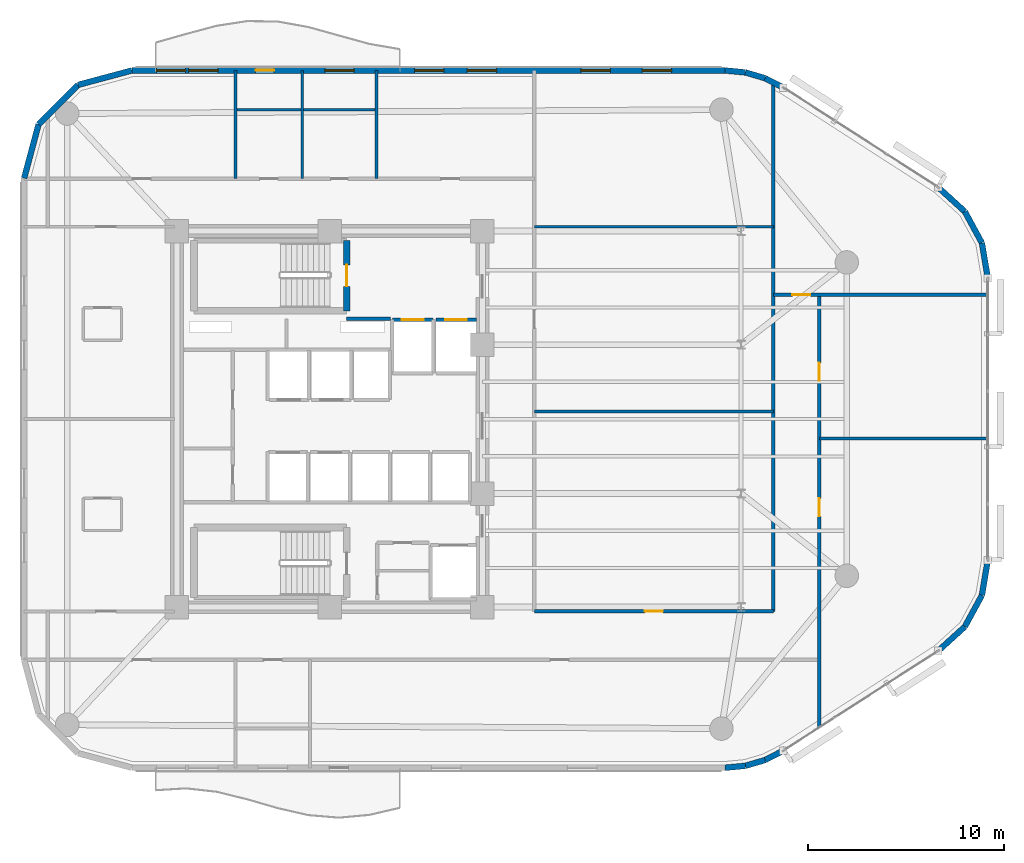
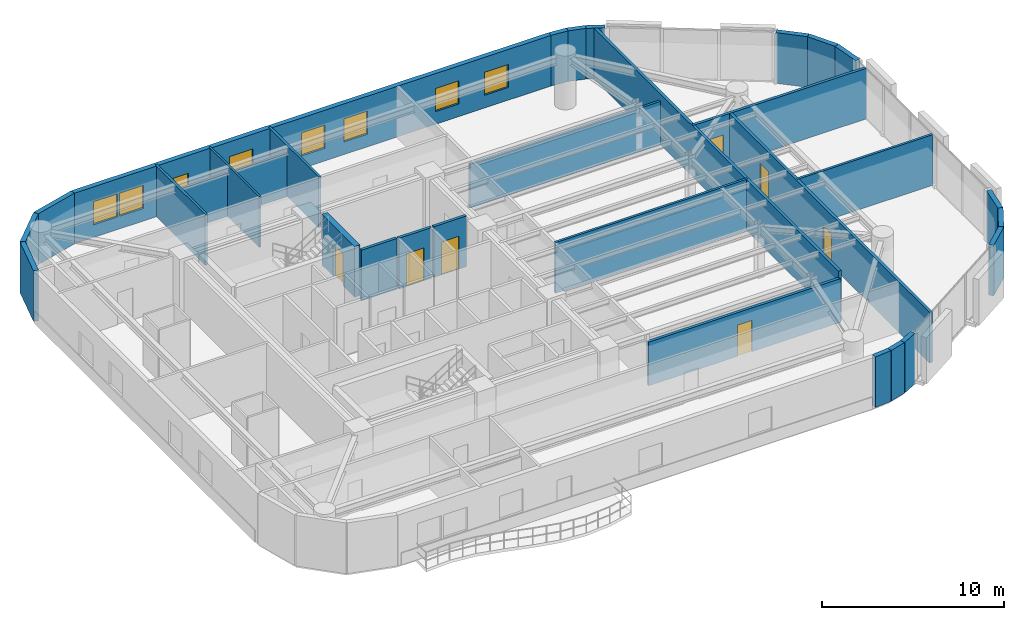
# One storey, part 12 of 15: 31 walls, 8 doors, 7 windows, 15 openings.
"""IFC4 building model written with IfcOpenShell, lengths in metres."""

from ifc_helpers import new_model, si_unit, direction, frame, frame_2d, origin, place, context, subcontext, project, spatial, rectangle, extrude, material, layer, layer_set, type_object, element, fill, save


model = new_model("IFC4")

# Units and contexts
model_context = context("Model", 3, precision=1e-05, world=origin(), true_north=direction((0.0, 1.0)))
body_context = subcontext(model_context, "Body", "Model", "MODEL_VIEW")
ifc_project = project(units=[si_unit("LENGTHUNIT", "METRE"), si_unit("AREAUNIT", "SQUARE_METRE"), si_unit("VOLUMEUNIT", "CUBIC_METRE"), si_unit("PLANEANGLEUNIT", "RADIAN"), si_unit("MASSUNIT", "GRAM", prefix="KILO")], contexts=[model_context])

# Site, building, storey
site_placement = place(None, origin())
site = spatial("IfcSite", under=ifc_project, at=site_placement, CompositionType="ELEMENT")
building_placement = place(site_placement, origin())
building = spatial("IfcBuilding", under=site, at=building_placement, Name="An Khanh Terracotta Commons", CompositionType="ELEMENT")
storey_placement = place(building_placement, frame((0.0, 0.0, 169.0)))
storey = spatial("IfcBuildingStorey", under=building, at=storey_placement, Name="L44", CompositionType="ELEMENT", Elevation=169.0)

# Wall
ifc_material_1 = material(Name="Fire-Rated Gypsum Board on Steel Stud", Category="steel")
ifc_layer_1 = layer(ifc_material_1, 0.179931640625, Name="Fire-Rated Gypsum Board on Steel Stud")
ifc_layer_set_1 = layer_set([ifc_layer_1], Name="Fire-Rated Gypsum Board on Steel Stud")
wall_type_1 = type_object("IfcWallType", Name="WALL-CORR-180", PredefinedType="PARTITIONING", material=ifc_layer_set_1)
wall_1_placement = place(storey_placement, frame((30.27001953125, 29.1201171875, 0.0), z_axis=(0.0, 0.0, 1.0), x_axis=(1.0, 0.0, 0.0)))
element("IfcWall", 1, at=wall_1_placement, inside=storey, type_object=wall_type_1, Name="L44 Core Wall FFLW-L44-S", PredefinedType="PARTITIONING", context=body_context, shape_type="SweptSolid", body=[
    extrude(rectangle(XDim=2.239990234375, YDim=0.179931640625, at=frame_2d((1.1201171875, 0.0))), origin(), (0.0, 0.0, 1.0), 3.39990234375),
])

# Wall, opening, door
wall_2_placement = place(storey_placement, frame((32.60009765625, 29.080078125, 0.0), z_axis=(0.0, 0.0, 1.0), x_axis=(1.0, 0.0, 0.0)))
wall_2 = element("IfcWall", 2, at=wall_2_placement, inside=storey, type_object=wall_type_1, Name="L44 Core Wall LSH-L44-FFL-01-N", PredefinedType="PARTITIONING", context=body_context, shape_type="SweptSolid", body=[
    extrude(rectangle(XDim=2.079833984375, YDim=0.179931640625, at=frame_2d((1.0400390625, 0.0))), origin(), (0.0, 0.0, 1.0), 3.39990234375),
])
opening_1_placement = place(wall_2_placement, frame((0.489990234375, 0.0, 0.0)))
opening_1 = element("IfcOpeningElement", 3, at=opening_1_placement, cuts=wall_2, Name="Opening LD-FFL-01-L44", PredefinedType="OPENING", context=body_context, shape_type="SweptSolid", body=[
    extrude(rectangle(XDim=1.10009765625, YDim=2.199951171875, at=frame_2d((0.550048828125, 1.10009765625))), frame((0.0, 0.099853515625, 0.0), z_axis=(0.0, -1.0, 0.0), x_axis=(1.0, 0.0, 0.0)), (0.0, 0.0, 1.0), 0.199951171875),
])
ifc_material_2 = material(Name="Brushed Stainless Steel Fire Landing Door", Category="steel")
door_type_1 = type_object("IfcDoorType", Name="DOOR-LD-FFL-1100", OperationType="NOTDEFINED", PredefinedType="DOOR", material=ifc_material_2)
door_1_placement = place(opening_1_placement, origin())
door_1 = element("IfcDoor", 4, at=door_1_placement, inside=storey, type_object=door_type_1, Name="L44 Lift FFL-01 Sliding Landing Door", OperationType="DOUBLE_DOOR_SLIDING", OverallHeight=2.199951171875, OverallWidth=1.10009765625, PredefinedType="DOOR", context=body_context, shape_type="SweptSolid", body=[
    extrude(rectangle(XDim=1.10009765625, YDim=2.199951171875, at=frame_2d((0.550048828125, 1.10009765625))), frame((0.0, 0.02490234375, 0.0), z_axis=(0.0, -1.0, 0.0), x_axis=(1.0, 0.0, 0.0)), (0.0, 0.0, 1.0), 0.050048828125),
])
fill(opening_1, door_1)

wall_3_placement = place(storey_placement, frame((34.820068359375, 29.080078125, 0.0), z_axis=(0.0, 0.0, 1.0), x_axis=(1.0, 0.0, 0.0)))
wall_3 = element("IfcWall", 5, at=wall_3_placement, inside=storey, type_object=wall_type_1, Name="L44 Core Wall LSH-L44-FFL-02-N", PredefinedType="PARTITIONING", context=body_context, shape_type="SweptSolid", body=[
    extrude(rectangle(XDim=2.079833984375, YDim=0.179931640625, at=frame_2d((1.0400390625, 0.0))), origin(), (0.0, 0.0, 1.0), 3.39990234375),
])
opening_2_placement = place(wall_3_placement, frame((0.489990234375, 0.0, 0.0)))
opening_2 = element("IfcOpeningElement", 6, at=opening_2_placement, cuts=wall_3, Name="Opening LD-FFL-02-L44", PredefinedType="OPENING", context=body_context, shape_type="SweptSolid", body=[
    extrude(rectangle(XDim=1.10009765625, YDim=2.199951171875, at=frame_2d((0.550048828125, 1.10009765625))), frame((0.0, 0.099853515625, 0.0), z_axis=(0.0, -1.0, 0.0), x_axis=(1.0, 0.0, 0.0)), (0.0, 0.0, 1.0), 0.199951171875),
])
door_2_placement = place(opening_2_placement, origin())
door_2 = element("IfcDoor", 7, at=door_2_placement, inside=storey, type_object=door_type_1, Name="L44 Lift FFL-02 Sliding Landing Door", OperationType="DOUBLE_DOOR_SLIDING", OverallHeight=2.199951171875, OverallWidth=1.10009765625, PredefinedType="DOOR", context=body_context, shape_type="SweptSolid", body=[
    extrude(rectangle(XDim=1.10009765625, YDim=2.199951171875, at=frame_2d((0.550048828125, 1.10009765625))), frame((0.0, 0.02490234375, 0.0), z_axis=(0.0, -1.0, 0.0), x_axis=(1.0, 0.0, 0.0)), (0.0, 0.0, 1.0), 0.050048828125),
])
fill(opening_2, door_2)

wall_4_placement = place(storey_placement, frame((39.85009765625, 14.179931640625, 0.0), z_axis=(0.0, 0.0, 1.0), x_axis=(1.0, 0.0, 0.0)))
wall_4 = element("IfcWall", 8, at=wall_4_placement, inside=storey, type_object=wall_type_1, Name="L44 Interior Partition IW-L44-E004", PredefinedType="PARTITIONING", context=body_context, shape_type="SweptSolid", body=[
    extrude(rectangle(XDim=12.199951171875, YDim=0.179931640625, at=frame_2d((6.10009765625, 0.0))), origin(), (0.0, 0.0, 1.0), 2.931884765625),
])
opening_3_placement = place(wall_4_placement, frame((5.639892578125, 0.0, 0.0)))
opening_3 = element("IfcOpeningElement", 9, at=opening_3_placement, cuts=wall_4, Name="Opening D-RM", PredefinedType="OPENING", context=body_context, shape_type="SweptSolid", body=[
    extrude(rectangle(XDim=0.919921875, YDim=2.10009765625, at=frame_2d((0.4599609375, 1.050048828125))), frame((0.0, 0.099853515625, 0.0), z_axis=(0.0, -1.0, 0.0), x_axis=(1.0, 0.0, 0.0)), (0.0, 0.0, 1.0), 0.199951171875),
])
ifc_material_3 = material(Name="Engineered Hardwood Timber Leaf", Category="wood")
door_type_2 = type_object("IfcDoorType", Name="DOOR-INT-920", OperationType="NOTDEFINED", PredefinedType="DOOR", material=ifc_material_3)
door_3_placement = place(opening_3_placement, origin())
door_3 = element("IfcDoor", 10, at=door_3_placement, inside=storey, type_object=door_type_2, Name="L44 WSP1 Riverfront Reading Hall Door", OperationType="SINGLE_SWING_RIGHT", OverallHeight=2.10009765625, OverallWidth=0.919921875, PredefinedType="DOOR", context=body_context, shape_type="SweptSolid", body=[
    extrude(rectangle(XDim=0.919921875, YDim=2.10009765625, at=frame_2d((0.4599609375, 1.050048828125))), frame((0.0, 0.02490234375, 0.0), z_axis=(0.0, -1.0, 0.0), x_axis=(1.0, 0.0, 0.0)), (0.0, 0.0, 1.0), 0.050048828125),
])
fill(opening_3, door_3)

wall_5_placement = place(storey_placement, frame((52.050048828125, 30.35009765625, 0.0), z_axis=(0.0, 0.0, 1.0), x_axis=(1.0, 0.0, 0.0)))
wall_5 = element("IfcWall", 11, at=wall_5_placement, inside=storey, type_object=wall_type_1, Name="L44 Interior Partition IW-L44-E008", PredefinedType="PARTITIONING", context=body_context, shape_type="SweptSolid", body=[
    extrude(rectangle(XDim=10.949951171875, YDim=0.179931640625, at=frame_2d((5.47509765625, 0.0))), origin(), (0.0, 0.0, 1.0), 3.39990234375),
])
opening_4_placement = place(wall_5_placement, frame((0.97509765625, 0.0, 0.0)))
opening_4 = element("IfcOpeningElement", 12, at=opening_4_placement, cuts=wall_5, Name="Opening D-RM", PredefinedType="OPENING", context=body_context, shape_type="SweptSolid", body=[
    extrude(rectangle(XDim=0.919921875, YDim=2.10009765625, at=frame_2d((0.4599609375, 1.050048828125))), frame((0.0, 0.099853515625, 0.0), z_axis=(0.0, -1.0, 0.0), x_axis=(1.0, 0.0, 0.0)), (0.0, 0.0, 1.0), 0.199951171875),
])
door_4_placement = place(opening_4_placement, origin())
door_4 = element("IfcDoor", 13, at=door_4_placement, inside=storey, type_object=door_type_2, Name="L44 NCAP Collaborative Study Lounge Door", OperationType="SINGLE_SWING_RIGHT", OverallHeight=2.10009765625, OverallWidth=0.919921875, PredefinedType="DOOR", context=body_context, shape_type="SweptSolid", body=[
    extrude(rectangle(XDim=0.919921875, YDim=2.10009765625, at=frame_2d((0.4599609375, 1.050048828125))), frame((0.0, 0.02490234375, 0.0), z_axis=(0.0, -1.0, 0.0), x_axis=(1.0, 0.0, 0.0)), (0.0, 0.0, 1.0), 0.050048828125),
])
fill(opening_4, door_4)

# Wall
wall_6_placement = place(storey_placement, frame((52.050048828125, 14.179931640625, 0.0), z_axis=(0.0, 0.0, 1.0), x_axis=(0.0, 1.0, 0.0)))
element("IfcWall", 14, at=wall_6_placement, inside=storey, type_object=wall_type_1, Name="L44 Interior Partition IW-L44-E021", PredefinedType="PARTITIONING", context=body_context, shape_type="SweptSolid", body=[
    extrude(rectangle(XDim=27.008056640625, YDim=0.179931640625, at=frame_2d((13.50390625, 0.0))), origin(), (0.0, 0.0, 1.0), 3.39990234375),
])

# Wall, openings, doors
wall_7_placement = place(storey_placement, frame((54.39990234375, 8.260986328125, 0.0), z_axis=(0.0, 0.0, 1.0), x_axis=(0.0, 1.0, 0.0)))
wall_7 = element("IfcWall", 15, at=wall_7_placement, inside=storey, type_object=wall_type_1, Name="L44 Interior Partition IW-L44-E022", PredefinedType="PARTITIONING", context=body_context, shape_type="SweptSolid", body=[
    extrude(rectangle(XDim=22.089111328125, YDim=0.179931640625, at=frame_2d((11.04443359375, 0.0))), origin(), (0.0, 0.0, 1.0), 3.39990234375),
])
opening_5_placement = place(wall_7_placement, frame((17.694091796875, 0.0, 0.0)))
opening_5 = element("IfcOpeningElement", 16, at=opening_5_placement, cuts=wall_7, Name="Opening D-RM", PredefinedType="OPENING", context=body_context, shape_type="SweptSolid", body=[
    extrude(rectangle(XDim=0.919921875, YDim=2.10009765625, at=frame_2d((0.4599609375, 1.050048828125))), frame((0.0, 0.099853515625, 0.0), z_axis=(0.0, -1.0, 0.0), x_axis=(1.0, 0.0, 0.0)), (0.0, 0.0, 1.0), 0.199951171875),
])
opening_6_placement = place(wall_7_placement, frame((10.77099609375, 0.0, 0.0)))
opening_6 = element("IfcOpeningElement", 17, at=opening_6_placement, cuts=wall_7, Name="Opening D-RM", PredefinedType="OPENING", context=body_context, shape_type="SweptSolid", body=[
    extrude(rectangle(XDim=0.919921875, YDim=2.10009765625, at=frame_2d((0.4599609375, 1.050048828125))), frame((0.0, 0.099853515625, 0.0), z_axis=(0.0, -1.0, 0.0), x_axis=(1.0, 0.0, 0.0)), (0.0, 0.0, 1.0), 0.199951171875),
])
door_5_placement = place(opening_5_placement, origin())
door_5 = element("IfcDoor", 18, at=door_5_placement, inside=storey, type_object=door_type_2, Name="L44 ENO1 Collaborative Study Lounge Door", OperationType="SINGLE_SWING_LEFT", OverallHeight=2.10009765625, OverallWidth=0.919921875, PredefinedType="DOOR", context=body_context, shape_type="SweptSolid", body=[
    extrude(rectangle(XDim=0.919921875, YDim=2.10009765625, at=frame_2d((0.4599609375, 1.050048828125))), frame((0.0, 0.02490234375, 0.0), z_axis=(0.0, -1.0, 0.0), x_axis=(1.0, 0.0, 0.0)), (0.0, 0.0, 1.0), 0.050048828125),
])
fill(opening_5, door_5)
door_6_placement = place(opening_6_placement, origin())
door_6 = element("IfcDoor", 19, at=door_6_placement, inside=storey, type_object=door_type_2, Name="L44 ENO2 Collaborative Study Lounge Door", OperationType="SINGLE_SWING_RIGHT", OverallHeight=2.10009765625, OverallWidth=0.919921875, PredefinedType="DOOR", context=body_context, shape_type="SweptSolid", body=[
    extrude(rectangle(XDim=0.919921875, YDim=2.10009765625, at=frame_2d((0.4599609375, 1.050048828125))), frame((0.0, 0.02490234375, 0.0), z_axis=(0.0, -1.0, 0.0), x_axis=(1.0, 0.0, 0.0)), (0.0, 0.0, 1.0), 0.050048828125),
])
fill(opening_6, door_6)

# Walls
ifc_material_4 = material(Name="Precast concrete C40/50", Category="concrete")
ifc_layer_2 = layer(ifc_material_4, 0.300048828125, Name="Precast concrete C40/50")
ifc_layer_set_2 = layer_set([ifc_layer_2], Name="Precast concrete C40/50")
wall_type_2 = type_object("IfcWallType", Name="WALL-EXT-300", PredefinedType="SOLIDWALL", material=ifc_layer_set_2)
wall_8_placement = place(storey_placement, frame((49.58203125, 6.199951171875, 0.0), z_axis=(0.0, 0.0, 1.0), x_axis=(0.995426089968, 0.095534807324, 0.0)))
element("IfcWall", 20, at=wall_8_placement, inside=storey, type_object=wall_type_2, Name="L44 Insulated Terracotta Exterior Wall 5", PredefinedType="SOLIDWALL", context=body_context, shape_type="SweptSolid", body=[
    extrude(rectangle(XDim=1.0478515625, YDim=0.300048828125, at=frame_2d((0.52392578125, 0.0))), origin(), (0.0, 0.0, 1.0), 3.39990234375),
])
wall_9_placement = place(storey_placement, frame((50.625, 6.300048828125, 0.0), z_axis=(0.0, 0.0, 1.0), x_axis=(0.959528674476, 0.281610942363, 0.0)))
element("IfcWall", 21, at=wall_9_placement, inside=storey, type_object=wall_type_2, Name="L44 Insulated Terracotta Exterior Wall 6", PredefinedType="SOLIDWALL", context=body_context, shape_type="SweptSolid", body=[
    extrude(rectangle(XDim=1.04736328125, YDim=0.300048828125, at=frame_2d((0.523681640625, 0.0))), origin(), (0.0, 0.0, 1.0), 3.39990234375),
])
wall_10_placement = place(storey_placement, frame((51.6298828125, 6.594970703125, 0.0), z_axis=(0.0, 0.0, 1.0), x_axis=(0.888283247196, 0.459296062198, 0.0)))
element("IfcWall", 22, at=wall_10_placement, inside=storey, type_object=wall_type_2, Name="L44 Insulated Terracotta Exterior Wall 7", PredefinedType="SOLIDWALL", context=body_context, shape_type="SweptSolid", body=[
    extrude(rectangle(XDim=1.047119140625, YDim=0.300048828125, at=frame_2d((0.5234375, 0.0))), origin(), (0.0, 0.0, 1.0), 3.39990234375),
])
wall_11_placement = place(storey_placement, frame((60.47802734375, 12.176025390625, 0.0), z_axis=(0.0, 0.0, 1.0), x_axis=(0.73947929393, 0.673179302897, 0.0)))
element("IfcWall", 23, at=wall_11_placement, inside=storey, type_object=wall_type_2, Name="L44 Insulated Terracotta Exterior Wall 9", PredefinedType="SOLIDWALL", context=body_context, shape_type="SweptSolid", body=[
    extrude(rectangle(XDim=1.82275390625, YDim=0.300048828125, at=frame_2d((0.911376953125, 0.0))), origin(), (0.0, 0.0, 1.0), 3.39990234375),
])
wall_12_placement = place(storey_placement, frame((61.825927734375, 13.403076171875, 0.0), z_axis=(0.0, 0.0, 1.0), x_axis=(0.478608030646, 0.878028674362, 0.0)))
element("IfcWall", 24, at=wall_12_placement, inside=storey, type_object=wall_type_2, Name="L44 Insulated Terracotta Exterior Wall 10", PredefinedType="SOLIDWALL", context=body_context, shape_type="SweptSolid", body=[
    extrude(rectangle(XDim=1.822021484375, YDim=0.300048828125, at=frame_2d((0.9111328125, 0.0))), origin(), (0.0, 0.0, 1.0), 3.39990234375),
])
for number, where, z_axis, x_axis, name in (
    (25, (62.697998046875, 15.0029296875, 0.0), (0.0, 0.0, 1.0), (0.165724081207, 0.986172159873, 0.0), "L44 Insulated Terracotta Exterior Wall 11"),
    (26, (63.0, 31.199951171875, 0.0), (0.0, 0.0, 1.0), (-0.165724081207, 0.986172159873, 0.0), "L44 Insulated Terracotta Exterior Wall 13"),
):
    element("IfcWall", number, at=place(storey_placement, frame(where, z_axis=z_axis, x_axis=x_axis)), inside=storey, type_object=wall_type_2, Name=name, PredefinedType="SOLIDWALL", context=body_context, shape_type="SweptSolid", body=[
        extrude(rectangle(XDim=1.822265625, YDim=0.300048828125, at=frame_2d((0.9111328125, 0.0))), origin(), (0.0, 0.0, 1.0), 3.39990234375),
    ])
wall_13_placement = place(storey_placement, frame((62.697998046875, 32.9970703125, 0.0), z_axis=(0.0, 0.0, 1.0), x_axis=(-0.478608030646, 0.878028674362, 0.0)))
element("IfcWall", 27, at=wall_13_placement, inside=storey, type_object=wall_type_2, Name="L44 Insulated Terracotta Exterior Wall 14", PredefinedType="SOLIDWALL", context=body_context, shape_type="SweptSolid", body=[
    extrude(rectangle(XDim=1.822021484375, YDim=0.300048828125, at=frame_2d((0.9111328125, 0.0))), origin(), (0.0, 0.0, 1.0), 3.39990234375),
])
wall_14_placement = place(storey_placement, frame((61.825927734375, 34.596923828125, 0.0), z_axis=(0.0, 0.0, 1.0), x_axis=(-0.73947929393, 0.673179302897, 0.0)))
element("IfcWall", 28, at=wall_14_placement, inside=storey, type_object=wall_type_2, Name="L44 Insulated Terracotta Exterior Wall 15", PredefinedType="SOLIDWALL", context=body_context, shape_type="SweptSolid", body=[
    extrude(rectangle(XDim=1.82275390625, YDim=0.300048828125, at=frame_2d((0.911376953125, 0.0))), origin(), (0.0, 0.0, 1.0), 3.39990234375),
])
wall_15_placement = place(storey_placement, frame((52.56005859375, 40.924072265625, 0.0), z_axis=(0.0, 0.0, 1.0), x_axis=(-0.888283247196, 0.459296062198, 0.0)))
element("IfcWall", 29, at=wall_15_placement, inside=storey, type_object=wall_type_2, Name="L44 Insulated Terracotta Exterior Wall 17", PredefinedType="SOLIDWALL", context=body_context, shape_type="SweptSolid", body=[
    extrude(rectangle(XDim=1.047119140625, YDim=0.300048828125, at=frame_2d((0.5234375, 0.0))), origin(), (0.0, 0.0, 1.0), 3.39990234375),
])
wall_16_placement = place(storey_placement, frame((51.6298828125, 41.405029296875, 0.0), z_axis=(0.0, 0.0, 1.0), x_axis=(-0.959528674476, 0.281610942363, 0.0)))
element("IfcWall", 30, at=wall_16_placement, inside=storey, type_object=wall_type_2, Name="L44 Insulated Terracotta Exterior Wall 18", PredefinedType="SOLIDWALL", context=body_context, shape_type="SweptSolid", body=[
    extrude(rectangle(XDim=1.04736328125, YDim=0.300048828125, at=frame_2d((0.523681640625, 0.0))), origin(), (0.0, 0.0, 1.0), 3.39990234375),
])
wall_17_placement = place(storey_placement, frame((50.625, 41.699951171875, 0.0), z_axis=(0.0, 0.0, 1.0), x_axis=(-0.995426089968, 0.095534807324, 0.0)))
element("IfcWall", 31, at=wall_17_placement, inside=storey, type_object=wall_type_2, Name="L44 Insulated Terracotta Exterior Wall 19", PredefinedType="SOLIDWALL", context=body_context, shape_type="SweptSolid", body=[
    extrude(rectangle(XDim=1.0478515625, YDim=0.300048828125, at=frame_2d((0.52392578125, 0.0))), origin(), (0.0, 0.0, 1.0), 3.39990234375),
])

# Wall, openings, door, windows
wall_18_placement = place(storey_placement, frame((49.58203125, 41.800048828125, 0.0), z_axis=(0.0, 0.0, 1.0), x_axis=(-1.0, 0.0, 0.0)))
wall_18 = element("IfcWall", 32, at=wall_18_placement, inside=storey, type_object=wall_type_2, Name="L44 Insulated Terracotta Exterior Wall 20", PredefinedType="SOLIDWALL", context=body_context, shape_type="SweptSolid", body=[
    extrude(rectangle(XDim=30.281982421875, YDim=0.300048828125, at=frame_2d((15.14111328125, 0.0))), origin(), (0.0, 0.0, 1.0), 3.39990234375),
])
opening_7_placement = place(wall_18_placement, frame((23.01904296875, 0.0, 0.0)))
opening_7 = element("IfcOpeningElement", 33, at=opening_7_placement, cuts=wall_18, Name="Opening D-BAL", PredefinedType="OPENING", context=body_context, shape_type="SweptSolid", body=[
    extrude(rectangle(XDim=0.949951171875, YDim=2.199951171875, at=frame_2d((0.47509765625, 1.10009765625))), frame((0.0, 0.159912109375, 0.0), z_axis=(0.0, -1.0, 0.0), x_axis=(1.0, 0.0, 0.0)), (0.0, 0.0, 1.0), 0.320068359375),
])
opening_8_placement = place(wall_18_placement, frame((2.72705078125, 0.0, 0.85009765625)))
opening_8 = element("IfcOpeningElement", 34, at=opening_8_placement, cuts=wall_18, Name="Opening W-03", PredefinedType="OPENING", context=body_context, shape_type="SweptSolid", body=[
    extrude(rectangle(XDim=1.5, YDim=1.550048828125, at=frame_2d((0.75, 0.77490234375))), frame((0.0, 0.159912109375, 0.0), z_axis=(0.0, -1.0, 0.0), x_axis=(1.0, 0.0, 0.0)), (0.0, 0.0, 1.0), 0.320068359375),
])
opening_9_placement = place(wall_18_placement, frame((5.85498046875, 0.0, 0.85009765625)))
opening_9 = element("IfcOpeningElement", 35, at=opening_9_placement, cuts=wall_18, Name="Opening W-03", PredefinedType="OPENING", context=body_context, shape_type="SweptSolid", body=[
    extrude(rectangle(XDim=1.5, YDim=1.550048828125, at=frame_2d((0.75, 0.77490234375))), frame((0.0, 0.159912109375, 0.0), z_axis=(0.0, -1.0, 0.0), x_axis=(1.0, 0.0, 0.0)), (0.0, 0.0, 1.0), 0.320068359375),
])
opening_10_placement = place(wall_18_placement, frame((11.6650390625, 0.0, 0.85009765625)))
opening_10 = element("IfcOpeningElement", 36, at=opening_10_placement, cuts=wall_18, Name="Opening W-03", PredefinedType="OPENING", context=body_context, shape_type="SweptSolid", body=[
    extrude(rectangle(XDim=1.5, YDim=1.550048828125, at=frame_2d((0.75, 0.77490234375))), frame((0.0, 0.159912109375, 0.0), z_axis=(0.0, -1.0, 0.0), x_axis=(1.0, 0.0, 0.0)), (0.0, 0.0, 1.0), 0.320068359375),
])
opening_11_placement = place(wall_18_placement, frame((14.34912109375, 0.0, 0.85009765625)))
opening_11 = element("IfcOpeningElement", 37, at=opening_11_placement, cuts=wall_18, Name="Opening W-03", PredefinedType="OPENING", context=body_context, shape_type="SweptSolid", body=[
    extrude(rectangle(XDim=1.5, YDim=1.550048828125, at=frame_2d((0.75, 0.77490234375))), frame((0.0, 0.159912109375, 0.0), z_axis=(0.0, -1.0, 0.0), x_axis=(1.0, 0.0, 0.0)), (0.0, 0.0, 1.0), 0.320068359375),
])
opening_12_placement = place(wall_18_placement, frame((18.931884765625, 0.0, 0.85009765625)))
opening_12 = element("IfcOpeningElement", 38, at=opening_12_placement, cuts=wall_18, Name="Opening W-03", PredefinedType="OPENING", context=body_context, shape_type="SweptSolid", body=[
    extrude(rectangle(XDim=1.5, YDim=1.550048828125, at=frame_2d((0.75, 0.77490234375))), frame((0.0, 0.159912109375, 0.0), z_axis=(0.0, -1.0, 0.0), x_axis=(1.0, 0.0, 0.0)), (0.0, 0.0, 1.0), 0.320068359375),
])
opening_13_placement = place(wall_18_placement, frame((25.882080078125, 0.0, 0.85009765625)))
opening_13 = element("IfcOpeningElement", 39, at=opening_13_placement, cuts=wall_18, Name="Opening W-03", PredefinedType="OPENING", context=body_context, shape_type="SweptSolid", body=[
    extrude(rectangle(XDim=1.5, YDim=1.550048828125, at=frame_2d((0.75, 0.77490234375))), frame((0.0, 0.159912109375, 0.0), z_axis=(0.0, -1.0, 0.0), x_axis=(1.0, 0.0, 0.0)), (0.0, 0.0, 1.0), 0.320068359375),
])
opening_14_placement = place(wall_18_placement, frame((27.531982421875, 0.0, 0.85009765625)))
opening_14 = element("IfcOpeningElement", 40, at=opening_14_placement, cuts=wall_18, Name="Opening W-03", PredefinedType="OPENING", context=body_context, shape_type="SweptSolid", body=[
    extrude(rectangle(XDim=1.5, YDim=1.550048828125, at=frame_2d((0.75, 0.77490234375))), frame((0.0, 0.159912109375, 0.0), z_axis=(0.0, -1.0, 0.0), x_axis=(1.0, 0.0, 0.0)), (0.0, 0.0, 1.0), 0.320068359375),
])
ifc_material_5 = material(Name="Thermally Broken Aluminium and Low-E Glass", Category="aluminium")
door_type_3 = type_object("IfcDoorType", Name="DOOR-BALC-950", OperationType="NOTDEFINED", PredefinedType="DOOR", material=ifc_material_5)
door_7_placement = place(opening_7_placement, origin())
door_7 = element("IfcDoor", 41, at=door_7_placement, inside=storey, type_object=door_type_3, Name="L44 N Wave Balcony Glazed Door", OperationType="SINGLE_SWING_RIGHT", OverallHeight=2.199951171875, OverallWidth=0.949951171875, PredefinedType="DOOR", context=body_context, shape_type="SweptSolid", body=[
    extrude(rectangle(XDim=0.949951171875, YDim=2.199951171875, at=frame_2d((0.47509765625, 1.10009765625))), frame((0.0, 0.02490234375, 0.0), z_axis=(0.0, -1.0, 0.0), x_axis=(1.0, 0.0, 0.0)), (0.0, 0.0, 1.0), 0.050048828125),
])
fill(opening_7, door_7)
window_type = type_object("IfcWindowType", Name="WIN-Z3-1500x1550", PartitioningType="DOUBLE_PANEL_VERTICAL", PredefinedType="WINDOW", material=ifc_material_5)
window_1_placement = place(opening_8_placement, origin())
window_1 = element("IfcWindow", 42, at=window_1_placement, inside=storey, type_object=window_type, Name="L44 Operable Casement Window 20.1", OverallHeight=1.550048828125, OverallWidth=1.5, PartitioningType="DOUBLE_PANEL_VERTICAL", PredefinedType="WINDOW", context=body_context, shape_type="SweptSolid", body=[
    extrude(rectangle(XDim=1.5, YDim=1.550048828125, at=frame_2d((0.75, 0.77490234375))), frame((0.0, 0.030029296875, 0.0), z_axis=(0.0, -1.0, 0.0), x_axis=(1.0, 0.0, 0.0)), (0.0, 0.0, 1.0), 0.06005859375),
])
fill(opening_8, window_1)
window_2_placement = place(opening_9_placement, origin())
window_2 = element("IfcWindow", 43, at=window_2_placement, inside=storey, type_object=window_type, Name="L44 Operable Casement Window 20.2", OverallHeight=1.550048828125, OverallWidth=1.5, PartitioningType="DOUBLE_PANEL_VERTICAL", PredefinedType="WINDOW", context=body_context, shape_type="SweptSolid", body=[
    extrude(rectangle(XDim=1.5, YDim=1.550048828125, at=frame_2d((0.75, 0.77490234375))), frame((0.0, 0.030029296875, 0.0), z_axis=(0.0, -1.0, 0.0), x_axis=(1.0, 0.0, 0.0)), (0.0, 0.0, 1.0), 0.06005859375),
])
fill(opening_9, window_2)
window_3_placement = place(opening_10_placement, origin())
window_3 = element("IfcWindow", 44, at=window_3_placement, inside=storey, type_object=window_type, Name="L44 Operable Casement Window 20.3", OverallHeight=1.550048828125, OverallWidth=1.5, PartitioningType="DOUBLE_PANEL_VERTICAL", PredefinedType="WINDOW", context=body_context, shape_type="SweptSolid", body=[
    extrude(rectangle(XDim=1.5, YDim=1.550048828125, at=frame_2d((0.75, 0.77490234375))), frame((0.0, 0.030029296875, 0.0), z_axis=(0.0, -1.0, 0.0), x_axis=(1.0, 0.0, 0.0)), (0.0, 0.0, 1.0), 0.06005859375),
])
fill(opening_10, window_3)
window_4_placement = place(opening_11_placement, origin())
window_4 = element("IfcWindow", 45, at=window_4_placement, inside=storey, type_object=window_type, Name="L44 Operable Casement Window 20.4", OverallHeight=1.550048828125, OverallWidth=1.5, PartitioningType="DOUBLE_PANEL_VERTICAL", PredefinedType="WINDOW", context=body_context, shape_type="SweptSolid", body=[
    extrude(rectangle(XDim=1.5, YDim=1.550048828125, at=frame_2d((0.75, 0.77490234375))), frame((0.0, 0.030029296875, 0.0), z_axis=(0.0, -1.0, 0.0), x_axis=(1.0, 0.0, 0.0)), (0.0, 0.0, 1.0), 0.06005859375),
])
fill(opening_11, window_4)
window_5_placement = place(opening_12_placement, origin())
window_5 = element("IfcWindow", 46, at=window_5_placement, inside=storey, type_object=window_type, Name="L44 Operable Casement Window 20.5", OverallHeight=1.550048828125, OverallWidth=1.5, PartitioningType="DOUBLE_PANEL_VERTICAL", PredefinedType="WINDOW", context=body_context, shape_type="SweptSolid", body=[
    extrude(rectangle(XDim=1.5, YDim=1.550048828125, at=frame_2d((0.75, 0.77490234375))), frame((0.0, 0.030029296875, 0.0), z_axis=(0.0, -1.0, 0.0), x_axis=(1.0, 0.0, 0.0)), (0.0, 0.0, 1.0), 0.06005859375),
])
fill(opening_12, window_5)
window_6_placement = place(opening_13_placement, origin())
window_6 = element("IfcWindow", 47, at=window_6_placement, inside=storey, type_object=window_type, Name="L44 Operable Casement Window 20.6", OverallHeight=1.550048828125, OverallWidth=1.5, PartitioningType="DOUBLE_PANEL_VERTICAL", PredefinedType="WINDOW", context=body_context, shape_type="SweptSolid", body=[
    extrude(rectangle(XDim=1.5, YDim=1.550048828125, at=frame_2d((0.75, 0.77490234375))), frame((0.0, 0.030029296875, 0.0), z_axis=(0.0, -1.0, 0.0), x_axis=(1.0, 0.0, 0.0)), (0.0, 0.0, 1.0), 0.06005859375),
])
fill(opening_13, window_6)
window_7_placement = place(opening_14_placement, origin())
window_7 = element("IfcWindow", 48, at=window_7_placement, inside=storey, type_object=window_type, Name="L44 Operable Casement Window 20.7", OverallHeight=1.550048828125, OverallWidth=1.5, PartitioningType="DOUBLE_PANEL_VERTICAL", PredefinedType="WINDOW", context=body_context, shape_type="SweptSolid", body=[
    extrude(rectangle(XDim=1.5, YDim=1.550048828125, at=frame_2d((0.75, 0.77490234375))), frame((0.0, 0.030029296875, 0.0), z_axis=(0.0, -1.0, 0.0), x_axis=(1.0, 0.0, 0.0)), (0.0, 0.0, 1.0), 0.06005859375),
])
fill(opening_14, window_7)

# Walls
wall_19_placement = place(storey_placement, frame((19.300048828125, 41.800048828125, 0.0), z_axis=(0.0, 0.0, 1.0), x_axis=(-0.965908238586, -0.258884674387, 0.0)))
element("IfcWall", 49, at=wall_19_placement, inside=storey, type_object=wall_type_2, Name="L44 Insulated Terracotta Exterior Wall 21", PredefinedType="SOLIDWALL", context=body_context, shape_type="SweptSolid", body=[
    extrude(rectangle(XDim=2.84716796875, YDim=0.300048828125, at=frame_2d((1.423583984375, 0.0))), origin(), (0.0, 0.0, 1.0), 3.39990234375),
])
wall_20_placement = place(storey_placement, frame((16.550048828125, 41.06298828125, 0.0), z_axis=(0.0, 0.0, 1.0), x_axis=(-0.707106781187, -0.707106781187, 0.0)))
element("IfcWall", 50, at=wall_20_placement, inside=storey, type_object=wall_type_2, Name="L44 Insulated Terracotta Exterior Wall 22", PredefinedType="SOLIDWALL", context=body_context, shape_type="SweptSolid", body=[
    extrude(rectangle(XDim=2.8466796875, YDim=0.300048828125, at=frame_2d((1.42333984375, 0.0))), origin(), (0.0, 0.0, 1.0), 3.39990234375),
])
wall_21_placement = place(storey_placement, frame((14.537109375, 39.050048828125, 0.0), z_axis=(0.0, 0.0, 1.0), x_axis=(-0.258884674387, -0.965908238586, 0.0)))
element("IfcWall", 51, at=wall_21_placement, inside=storey, type_object=wall_type_2, Name="L44 Insulated Terracotta Exterior Wall 23", PredefinedType="SOLIDWALL", context=body_context, shape_type="SweptSolid", body=[
    extrude(rectangle(XDim=2.84716796875, YDim=0.300048828125, at=frame_2d((1.423583984375, 0.0))), origin(), (0.0, 0.0, 1.0), 3.39990234375),
])
ifc_material_6 = material(Name="Acoustic Gypsum Board Partition")
ifc_layer_3 = layer(ifc_material_6, 0.14990234375, Name="Acoustic Gypsum Board Partition")
ifc_layer_set_3 = layer_set([ifc_layer_3], Name="Acoustic Gypsum Board Partition")
wall_type_3 = type_object("IfcWallType", Name="WALL-PART-150", PredefinedType="PARTITIONING", material=ifc_layer_set_3)
wall_22_placement = place(storey_placement, frame((54.39990234375, 23.0, 0.0), z_axis=(0.0, 0.0, 1.0), x_axis=(1.0, 0.0, 0.0)))
element("IfcWall", 52, at=wall_22_placement, inside=storey, type_object=wall_type_3, Name="L44 Interior Partition IW-L44-E005", PredefinedType="PARTITIONING", context=body_context, shape_type="SweptSolid", body=[
    extrude(rectangle(XDim=8.60009765625, YDim=0.14990234375, at=frame_2d((4.300048828125, 0.0))), origin(), (0.0, 0.0, 1.0), 3.39990234375),
])
wall_23_placement = place(storey_placement, frame((39.85009765625, 24.39990234375, 0.0), z_axis=(0.0, 0.0, 1.0), x_axis=(1.0, 0.0, 0.0)))
element("IfcWall", 53, at=wall_23_placement, inside=storey, type_object=wall_type_3, Name="L44 Interior Partition IW-L44-E007", PredefinedType="PARTITIONING", context=body_context, shape_type="SweptSolid", body=[
    extrude(rectangle(XDim=12.199951171875, YDim=0.14990234375, at=frame_2d((6.10009765625, 0.0))), origin(), (0.0, 0.0, 1.0), 3.39990234375),
])
wall_24_placement = place(storey_placement, frame((39.85009765625, 33.820068359375, 0.0), z_axis=(0.0, 0.0, 1.0), x_axis=(1.0, 0.0, 0.0)))
element("IfcWall", 54, at=wall_24_placement, inside=storey, type_object=wall_type_3, Name="L44 Interior Partition IW-L44-E010", PredefinedType="PARTITIONING", context=body_context, shape_type="SweptSolid", body=[
    extrude(rectangle(XDim=12.199951171875, YDim=0.14990234375, at=frame_2d((6.10009765625, 0.0))), origin(), (0.0, 0.0, 1.0), 2.931884765625),
])
for number, where, z_axis, x_axis, name in (
    (55, (24.60009765625, 36.280029296875, 0.0), (0.0, 0.0, 1.0), (0.0, 1.0, 0.0), "L44 Interior Partition IW-L44-E016"),
    (56, (31.800048828125, 36.280029296875, 0.0), (0.0, 0.0, 1.0), (0.0, 1.0, 0.0), "L44 Interior Partition IW-L44-E019"),
):
    element("IfcWall", number, at=place(storey_placement, frame(where, z_axis=z_axis, x_axis=x_axis)), inside=storey, type_object=wall_type_3, Name=name, PredefinedType="PARTITIONING", context=body_context, shape_type="SweptSolid", body=[
        extrude(rectangle(XDim=5.52001953125, YDim=0.14990234375, at=frame_2d((2.760009765625, 0.0))), origin(), (0.0, 0.0, 1.0), 3.39990234375),
    ])

# Wall, opening, door
ifc_material_7 = material(Name="Concrete C50/60", Category="concrete")
ifc_layer_4 = layer(ifc_material_7, 0.35009765625, Name="Concrete C50/60")
ifc_layer_set_4 = layer_set([ifc_layer_4], Name="Concrete C50/60")
wall_type_4 = type_object("IfcWallType", Name="WALL-SHAFT-350", PredefinedType="SOLIDWALL", material=ifc_layer_set_4)
wall_25_placement = place(storey_placement, frame((30.27001953125, 29.530029296875, 0.0), z_axis=(0.0, 0.0, 1.0), x_axis=(0.0, 1.0, 0.0)))
wall_25 = element("IfcWall", 57, at=wall_25_placement, inside=storey, type_object=wall_type_4, Name="L44 Core Wall STW-L44-N-E", PredefinedType="SOLIDWALL", context=body_context, shape_type="SweptSolid", body=[
    extrude(rectangle(XDim=3.580078125, YDim=0.35009765625, at=frame_2d((1.7900390625, 0.0))), origin(), (0.0, 0.0, 1.0), 3.39990234375),
])
opening_15_placement = place(wall_25_placement, frame((1.25, 0.0, 0.0)))
opening_15 = element("IfcOpeningElement", 58, at=opening_15_placement, cuts=wall_25, Name="Opening D-ST", PredefinedType="OPENING", context=body_context, shape_type="SweptSolid", body=[
    extrude(rectangle(XDim=1.10009765625, YDim=2.14990234375, at=frame_2d((0.550048828125, 1.074951171875))), frame((0.0, 0.18505859375, 0.0), z_axis=(0.0, -1.0, 0.0), x_axis=(1.0, 0.0, 0.0)), (0.0, 0.0, 1.0), 0.3701171875),
])
ifc_material_8 = material(Name="Fire-Rated Steel Leaf and Frame", Category="steel")
door_type_4 = type_object("IfcDoorType", Name="DOOR-STAIR-1100", OperationType="NOTDEFINED", PredefinedType="DOOR", material=ifc_material_8)
door_8_placement = place(opening_15_placement, origin())
door_8 = element("IfcDoor", 59, at=door_8_placement, inside=storey, type_object=door_type_4, Name="L44 Stair ST-01 Fire Door", OperationType="SINGLE_SWING_LEFT", OverallHeight=2.14990234375, OverallWidth=1.10009765625, PredefinedType="DOOR", context=body_context, shape_type="SweptSolid", body=[
    extrude(rectangle(XDim=1.10009765625, YDim=2.14990234375, at=frame_2d((0.550048828125, 1.074951171875))), frame((0.0, 0.02490234375, 0.0), z_axis=(0.0, -1.0, 0.0), x_axis=(1.0, 0.0, 0.0)), (0.0, 0.0, 1.0), 0.050048828125),
])
fill(opening_15, door_8)

# Walls
ifc_material_9 = material(Name="Moisture-Resistant Cement Board Partition")
ifc_layer_5 = layer(ifc_material_9, 0.1201171875, Name="Moisture-Resistant Cement Board Partition")
ifc_layer_set_5 = layer_set([ifc_layer_5], Name="Moisture-Resistant Cement Board Partition")
wall_type_5 = type_object("IfcWallType", Name="WALL-WET-120", PredefinedType="PARTITIONING", material=ifc_layer_set_5)
wall_26_placement = place(storey_placement, frame((24.60009765625, 39.800048828125, 0.0), z_axis=(0.0, 0.0, 1.0), x_axis=(1.0, 0.0, 0.0)))
element("IfcWall", 60, at=wall_26_placement, inside=storey, type_object=wall_type_5, Name="L44 Interior Partition IW-L44-E012", PredefinedType="PARTITIONING", context=body_context, shape_type="SweptSolid", body=[
    extrude(rectangle(XDim=7.199951171875, YDim=0.1201171875, at=frame_2d((3.60009765625, 0.0))), origin(), (0.0, 0.0, 1.0), 2.882080078125),
])
wall_27_placement = place(storey_placement, frame((28.0, 36.280029296875, 0.0), z_axis=(0.0, 0.0, 1.0), x_axis=(0.0, 1.0, 0.0)))
element("IfcWall", 61, at=wall_27_placement, inside=storey, type_object=wall_type_5, Name="L44 Interior Partition IW-L44-E017", PredefinedType="PARTITIONING", context=body_context, shape_type="SweptSolid", body=[
    extrude(rectangle(XDim=5.52001953125, YDim=0.1201171875, at=frame_2d((2.760009765625, 0.0))), origin(), (0.0, 0.0, 1.0), 3.39990234375),
])

save(model, "model.ifc")
